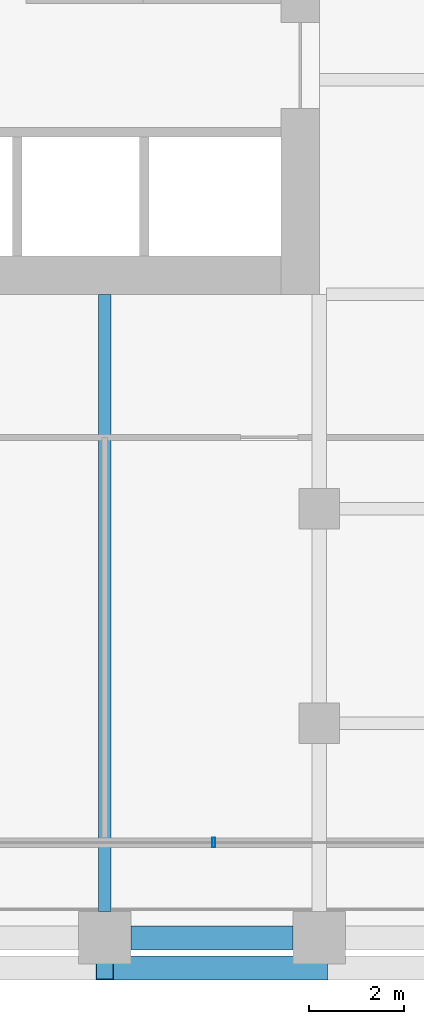
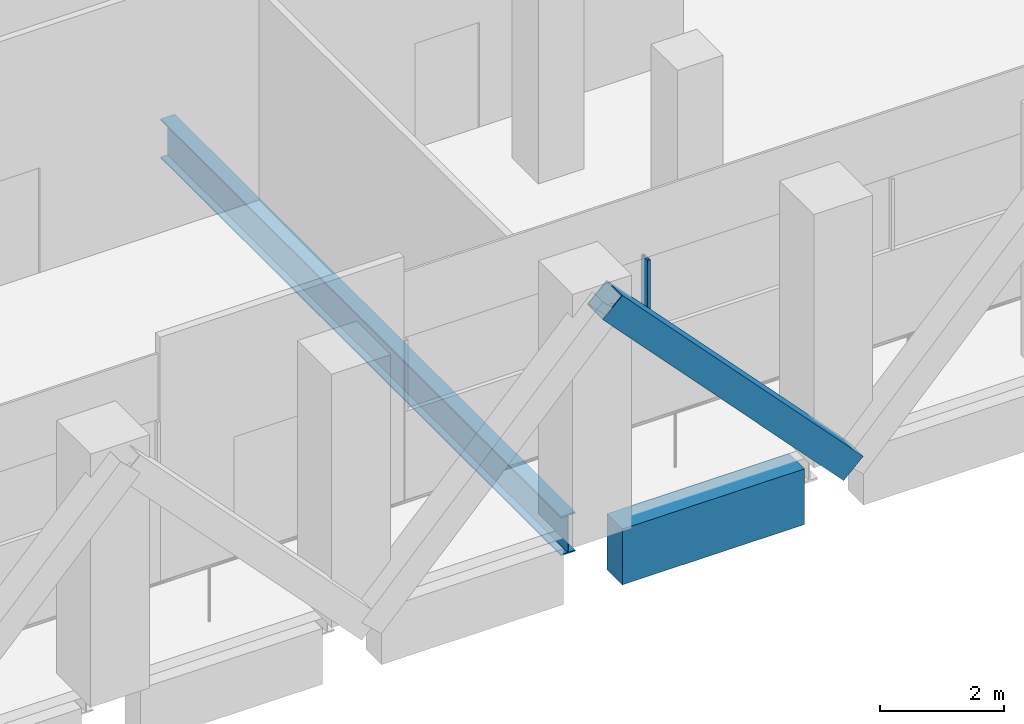
# One storey, part 7 of 44: 2 beams, 2 members, 1 element without a shape of its own.
"""IFC4 building model written with IfcOpenShell, lengths in metres."""

from ifc_helpers import new_model, si_unit, direction, frame, origin, origin_2d, place, context, subcontext, project, spatial, rectangle, hollow_rectangle, i_section, extrude, material, material_profile, profile_set, type_object, element, aggregate, save


model = new_model("IFC4")

# Units and contexts
model_context = context("Model", 3, precision=1e-05, world=origin(), true_north=direction((0.0, 1.0)))
body_context = subcontext(model_context, "Body", "Model", "MODEL_VIEW")
ifc_project = project(units=[si_unit("LENGTHUNIT", "METRE"), si_unit("AREAUNIT", "SQUARE_METRE"), si_unit("VOLUMEUNIT", "CUBIC_METRE"), si_unit("PLANEANGLEUNIT", "RADIAN"), si_unit("MASSUNIT", "GRAM", prefix="KILO")], contexts=[model_context])

# Site, building, storey
site_placement = place(None, origin())
site = spatial("IfcSite", under=ifc_project, at=site_placement, CompositionType="ELEMENT")
building_placement = place(site_placement, origin())
building = spatial("IfcBuilding", under=site, at=building_placement, Name="Altepetl Exchange Towers", CompositionType="ELEMENT")
storey_placement = place(building_placement, frame((0.0, 0.0, 87.0)))
storey = spatial("IfcBuildingStorey", under=building, at=storey_placement, Name="L21 Refuge", CompositionType="ELEMENT", Elevation=87.0)

# Member
ifc_material_1 = material(Name="Steel S355", Category="steel")
ifc_material_profile_1 = material_profile(ifc_material_1, hollow_rectangle(XDim=0.508056640625, YDim=0.508056640625, WallThickness=0.017578125, at=origin_2d()), Name="HSS508X508X19.0")
ifc_profile_set_1 = profile_set([ifc_material_profile_1], Name="Steel S355")
member_type_1 = type_object("IfcMemberType", Name="Belt diagonal HSS508X508X19.0", PredefinedType="BRACE", material=ifc_profile_set_1)
member_1_placement = place(storey_placement, frame((54.0, 26.3701171875, 4.75), z_axis=(0.687744647911, 0.0, -0.725952683906), x_axis=(0.0, 1.0, 0.0)))
element("IfcMember", 1, at=member_1_placement, inside=storey, type_object=member_type_1, Name="brc:A:L21:005", PredefinedType="BRACE", context=body_context, shape_type="SweptSolid", body=[
    extrude(hollow_rectangle(XDim=0.508056640625, YDim=0.508056640625, WallThickness=0.017578125, at=origin_2d()), origin(), (0.0, 0.0, 1.0), 6.543212890625),
])

# Beam
ifc_material_profile_2 = material_profile(ifc_material_1, i_section(OverallWidth=0.26806640625, OverallDepth=0.77392578125, WebThickness=0.015380859375, FlangeThickness=0.025390625, at=origin_2d()), Name="W30X132")
ifc_profile_set_2 = profile_set([ifc_material_profile_2], Name="Steel S355")
beam_type_1 = type_object("IfcBeamType", Name="Floor beam W30X132", PredefinedType="BEAM", material=ifc_profile_set_2)
beam_1_placement = place(storey_placement, frame((54.0, 27.550048828125, -0.5869140625), z_axis=(0.0, 1.0, 0.0), x_axis=(-1.0, 0.0, 0.0)))
element("IfcBeam", 2, at=beam_1_placement, inside=storey, type_object=beam_type_1, Name="bm:A:L21:017", PredefinedType="BEAM", context=body_context, shape_type="SweptSolid", body=[
    extrude(i_section(OverallWidth=0.26806640625, OverallDepth=0.77392578125, WebThickness=0.015380859375, FlangeThickness=0.025390625, at=origin_2d()), origin(), (0.0, 0.0, 1.0), 12.949951171875),
])

# Curtain wall, member
ifc_material_2 = material(Name="Aluminium 6063-T6 glazing", Category="aluminium")
curtain_wall_type = type_object("IfcCurtainWallType", Name="Refuge slit glazing system", PredefinedType="NOTDEFINED", material=ifc_material_2)
curtain_wall_placement = place(storey_placement, origin())
curtain_wall = element("IfcCurtainWall", 3, at=curtain_wall_placement, inside=storey, type_object=curtain_wall_type, Name="CW3 run", PredefinedType="NOTDEFINED")
ifc_material_3 = material(Name="Aluminium 6063-T6", Category="aluminium")
ifc_material_profile_3 = material_profile(ifc_material_3, hollow_rectangle(XDim=0.06005859375, YDim=0.199951171875, WallThickness=0.0029296875, at=origin_2d()), Name="Mullion 60x200 aluminium")
ifc_profile_set_3 = profile_set([ifc_material_profile_3], Name="Aluminium 6063-T6")
member_type_2 = type_object("IfcMemberType", Name="Mullion 60x200 aluminium", PredefinedType="MULLION", material=ifc_profile_set_3)
member_2_placement = place(storey_placement, frame((56.28564453125, 29.0, 1.800048828125)))
member_2 = element("IfcMember", 4, at=member_2_placement, type_object=member_type_2, Name="MU2 mullion", PredefinedType="MULLION", context=body_context, shape_type="SweptSolid", body=[
    extrude(hollow_rectangle(XDim=0.06005859375, YDim=0.199951171875, WallThickness=0.0029296875, at=origin_2d()), origin(), (0.0, 0.0, 1.0), 1.39990234375),
])
aggregate(curtain_wall, [member_2])

# Beam
ifc_material_4 = material(Name="Concrete C50/60 precast with cantera blanca facing", Category="concrete")
ifc_material_profile_4 = material_profile(ifc_material_4, rectangle(XDim=0.5, YDim=1.10009765625, at=origin_2d()), Name="500 x 1100")
ifc_profile_set_4 = profile_set([ifc_material_profile_4], Name="Concrete C50/60 precast with cantera blanca facing")
beam_type_2 = type_object("IfcBeamType", Name="Spandrel beam 500x1100 cantera blanca", PredefinedType="SPANDREL", material=ifc_profile_set_4)
beam_2_placement = place(storey_placement, frame((54.550048828125, 27.0, -0.75), z_axis=(1.0, 0.0, 0.0), x_axis=(0.0, 1.0, 0.0)))
element("IfcBeam", 5, at=beam_2_placement, inside=storey, type_object=beam_type_2, Name="sp:A:L21:005", PredefinedType="SPANDREL", context=body_context, shape_type="SweptSolid", body=[
    extrude(rectangle(XDim=0.5, YDim=1.10009765625, at=origin_2d()), origin(), (0.0, 0.0, 1.0), 3.39990234375),
])

save(model, "model.ifc")
